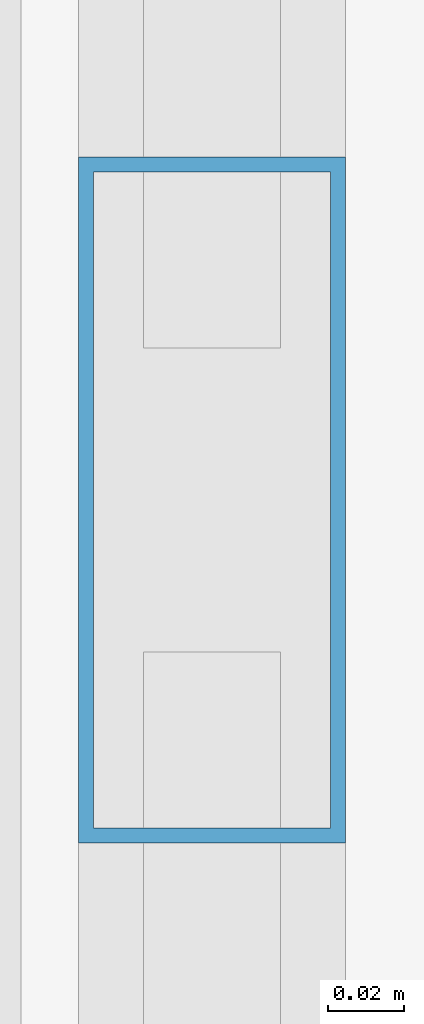
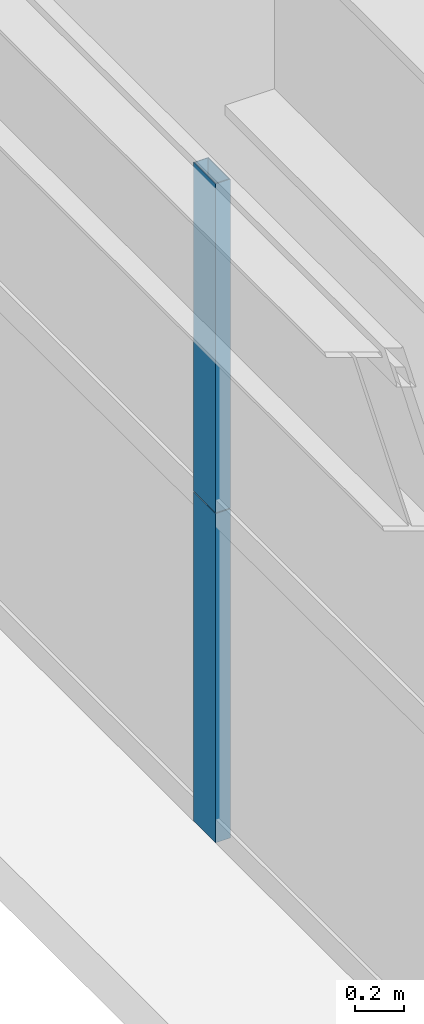
# One storey, part 12 of 45: 2 members, 1 element without a shape of its own.
"""IFC4 building model written with IfcOpenShell, lengths in metres."""

from ifc_helpers import new_model, si_unit, direction, frame, origin, origin_2d, place, context, subcontext, project, spatial, hollow_rectangle, extrude, source, transform, mapped, material, layer, layer_set, material_profile, profile_set, type_object, element, aggregate, save


model = new_model("IFC4")

# Units and contexts
model_context = context("Model", 3, precision=1e-05, world=origin(), true_north=direction((0.0, 1.0)))
body_context = subcontext(model_context, "Body", "Model", "MODEL_VIEW")
ifc_project = project(units=[si_unit("LENGTHUNIT", "METRE"), si_unit("AREAUNIT", "SQUARE_METRE"), si_unit("VOLUMEUNIT", "CUBIC_METRE"), si_unit("PLANEANGLEUNIT", "RADIAN"), si_unit("MASSUNIT", "GRAM", prefix="KILO"), si_unit("THERMODYNAMICTEMPERATUREUNIT", "KELVIN"), si_unit("POWERUNIT", "WATT")], contexts=[model_context])

# Site, building, storey
site_placement = place(None, origin())
site = spatial("IfcSite", under=ifc_project, at=site_placement, CompositionType="ELEMENT")
building_placement = place(site_placement, origin())
building = spatial("IfcBuilding", under=site, at=building_placement, Name="Yuzanri Waterfront Tower", CompositionType="ELEMENT")
storey_placement = place(building_placement, frame((0.0, 0.0, 163.199951171875)))
storey = spatial("IfcBuildingStorey", under=building, at=storey_placement, Name="L43", CompositionType="ELEMENT", Elevation=163.199951171875)

# Curtain wall, members
ifc_material_1 = material(Name="Anodized Architectural Bronze", Category="metal")
ifc_layer = layer(ifc_material_1, 0.159912109375)
ifc_layer_set = layer_set([ifc_layer], Name="Anodized Architectural Bronze")
curtain_wall_type = type_object("IfcCurtainWallType", Name="Anodized Bronze Hotel Upper-Tier Solar-Control Unitized Curtain Wall 7800", PredefinedType="NOTDEFINED", material=ifc_layer_set)
curtain_wall_placement = place(storey_placement, origin())
curtain_wall = element("IfcCurtainWall", 1, at=curtain_wall_placement, inside=storey, type_object=curtain_wall_type, Name="L43 Curtain Wall CW-L43-WL", PredefinedType="NOTDEFINED")
ifc_material_2 = material(Name="Anodized Architectural Bronze", Category="metal")
ifc_material_profile = material_profile(ifc_material_2, hollow_rectangle(XDim=0.070068359375, YDim=0.179931640625, WallThickness=0.00390625, at=origin_2d()), Name="CWM 70x180")
ifc_profile_set = profile_set([ifc_material_profile], Name="Anodized Architectural Bronze")
member_type = type_object("IfcMemberType", Name="Anodized Bronze Standard Curtain-Wall Mullion 70x180", PredefinedType="MULLION", material=ifc_profile_set)
shared_shape = source(origin(), body_context, "Body", "SweptSolid", [
    extrude(hollow_rectangle(XDim=0.070068359375, YDim=0.179931640625, WallThickness=0.00390625, at=origin_2d()), origin(), (0.0, 0.0, 1.0), 1.64794921875),
])
member_1_placement = place(storey_placement, frame((13.550048828125, 17.449951171875, 0.0), z_axis=(0.0, 0.0, 1.0), x_axis=(1.0, 0.0, 0.0)))
member_1 = element("IfcMember", 2, at=member_1_placement, type_object=member_type, Name="CW-L43-WL Lower Mullion 01", PredefinedType="MULLION", context=body_context, shape_type="MappedRepresentation", body=[
    mapped(shared_shape, transform((0.0, 0.0, 0.0), scale=1.0)),
])
member_2_placement = place(storey_placement, frame((13.550048828125, 17.449951171875, 1.652099609375), z_axis=(0.0, 0.0, 1.0), x_axis=(1.0, 0.0, 0.0)))
member_2 = element("IfcMember", 3, at=member_2_placement, type_object=member_type, Name="CW-L43-WL Upper Mullion 01", PredefinedType="MULLION", context=body_context, shape_type="MappedRepresentation", body=[
    mapped(shared_shape, transform((0.0, 0.0, 0.0), scale=1.0)),
])
aggregate(curtain_wall, [member_1, member_2])

save(model, "model.ifc")
